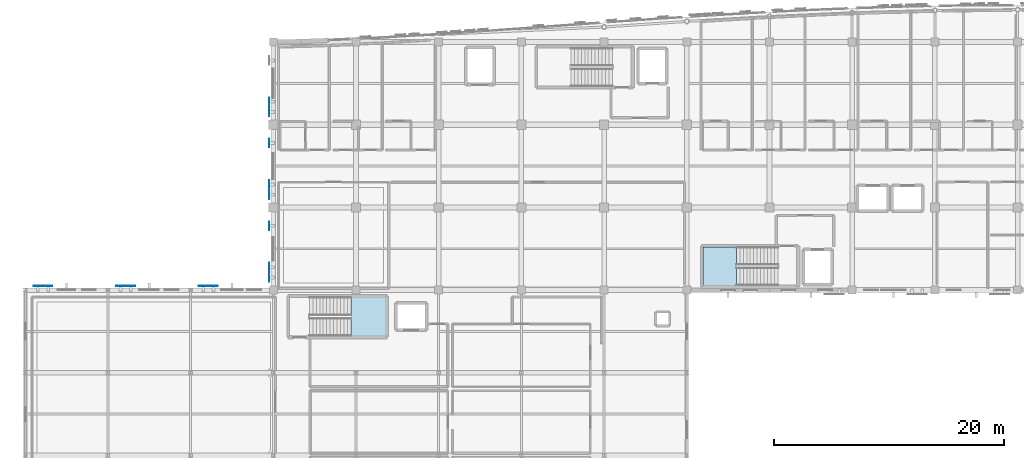
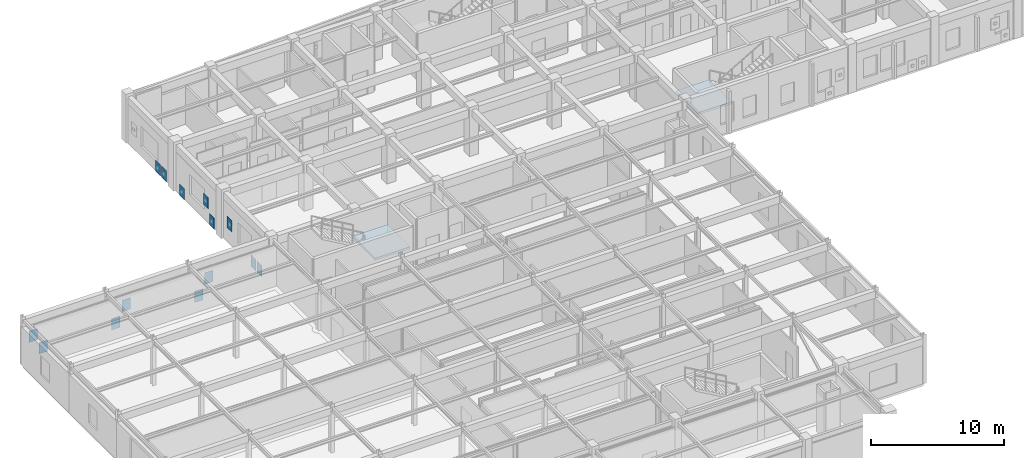
# One storey, part 62 of 106: 14 plates, 2 slabs, 2 elements without a shape of their own.
"""IFC4 building model written with IfcOpenShell, lengths in metres."""

from ifc_helpers import new_model, si_unit, direction, frame, origin, origin_2d, place, context, subcontext, project, spatial, polyline, rectangle, outline, extrude, material, layer, layer_set, type_object, element, aggregate, save


model = new_model("IFC4")

# Units and contexts
model_context = context("Model", 3, precision=1e-05, world=origin(), true_north=direction((0.0, 1.0)))
body_context = subcontext(model_context, "Body", "Model", "MODEL_VIEW")
ifc_project = project(units=[si_unit("LENGTHUNIT", "METRE"), si_unit("AREAUNIT", "SQUARE_METRE"), si_unit("VOLUMEUNIT", "CUBIC_METRE"), si_unit("PLANEANGLEUNIT", "RADIAN"), si_unit("MASSUNIT", "GRAM", prefix="KILO")], contexts=[model_context])

# Site, building, storey
site_placement = place(None, origin())
site = spatial("IfcSite", under=ifc_project, at=site_placement, CompositionType="ELEMENT")
building_placement = place(site_placement, origin())
building = spatial("IfcBuilding", under=site, at=building_placement, Name="Carrowvane Square Congress Hotel", CompositionType="ELEMENT")
storey_placement = place(building_placement, frame((0.0, 0.0, 10.5)))
storey = spatial("IfcBuildingStorey", under=building, at=storey_placement, Name="L02", CompositionType="ELEMENT", Elevation=10.5)

# Plates
ifc_material_1 = material(Name="Champagne-gold anodised aluminium", Category="aluminium")
ifc_layer_1 = layer(ifc_material_1, 0.011962890625)
ifc_layer_set_1 = layer_set([ifc_layer_1], Name="Champagne-gold anodised aluminium")
plate_type_1 = type_object("IfcPlateType", Name="PLT-PIX-GOLD12", PredefinedType="SHEET", material=ifc_layer_set_1)
for number, where, z_axis, x_axis, name in (
    (1, (19.89990234375, 92.166015625, 0.15478515625), (0.0, 0.0, 1.0), (1.0, 0.0, 0.0), "Champagne-gold pixel screen plate S-81"),
    (2, (20.800048828125, 92.166015625, 1.52490234375), (0.0, 0.0, 1.0), (1.0, 0.0, 0.0), "Champagne-gold pixel screen plate S-82"),
    (3, (32.833984375, 92.89990234375, 0.15478515625), (0.0, 0.0, 1.0), (0.0, 1.0, 0.0), "Champagne-gold pixel screen plate S-85"),
    (4, (32.833984375, 93.800048828125, 0.15478515625), (0.0, 0.0, 1.0), (0.0, 1.0, 0.0), "Champagne-gold pixel screen plate S-86"),
    (5, (32.833984375, 97.39990234375, 1.52490234375), (0.0, 0.0, 1.0), (0.0, 1.0, 0.0), "Champagne-gold pixel screen plate S-87"),
    (6, (32.833984375, 107.300048828125, 0.15478515625), (0.0, 0.0, 1.0), (0.0, 1.0, 0.0), "Champagne-gold pixel screen plate S-91"),
    (7, (32.833984375, 108.199951171875, 0.15478515625), (0.0, 0.0, 1.0), (0.0, 1.0, 0.0), "Champagne-gold pixel screen plate S-92"),
):
    element("IfcPlate", number, at=place(storey_placement, frame(where, z_axis=z_axis, x_axis=x_axis)), inside=storey, type_object=plate_type_1, Name=name, PredefinedType="SHEET", context=body_context, shape_type="SweptSolid", body=[
        extrude(rectangle(XDim=0.738037109375, YDim=0.011962890625, at=origin_2d()), origin(), (0.0, 0.0, 1.0), 1.050048828125),
    ])
ifc_material_2 = material(Name="Champagne-gold anodised aluminium", Category="aluminium")
ifc_layer_2 = layer(ifc_material_2, 0.008056640625)
ifc_layer_set_2 = layer_set([ifc_layer_2], Name="Champagne-gold anodised aluminium")
plate_type_2 = type_object("IfcPlateType", Name="PLT-PIX-GOLD8", PredefinedType="SHEET", material=ifc_layer_set_2)
for number, where, z_axis, x_axis, name in (
    (8, (12.699951171875, 92.1640625, 1.52490234375), (0.0, 0.0, 1.0), (1.0, 0.0, 0.0), "Champagne-gold pixel screen plate S-79"),
    (9, (13.60009765625, 92.1640625, 0.15478515625), (0.0, 0.0, 1.0), (1.0, 0.0, 0.0), "Champagne-gold pixel screen plate S-80"),
    (10, (27.10009765625, 92.1640625, 0.15478515625), (0.0, 0.0, 1.0), (1.0, 0.0, 0.0), "Champagne-gold pixel screen plate S-83"),
    (11, (28.0, 92.1640625, 1.52490234375), (0.0, 0.0, 1.0), (1.0, 0.0, 0.0), "Champagne-gold pixel screen plate S-84"),
    (12, (32.8359375, 100.10009765625, 0.15478515625), (0.0, 0.0, 1.0), (0.0, 1.0, 0.0), "Champagne-gold pixel screen plate S-88"),
    (13, (32.8359375, 101.0, 1.52490234375), (0.0, 0.0, 1.0), (0.0, 1.0, 0.0), "Champagne-gold pixel screen plate S-89"),
    (14, (32.8359375, 104.60009765625, 0.15478515625), (0.0, 0.0, 1.0), (0.0, 1.0, 0.0), "Champagne-gold pixel screen plate S-90"),
):
    element("IfcPlate", number, at=place(storey_placement, frame(where, z_axis=z_axis, x_axis=x_axis)), inside=storey, type_object=plate_type_2, Name=name, PredefinedType="SHEET", context=body_context, shape_type="SweptSolid", body=[
        extrude(rectangle(XDim=0.738037109375, YDim=0.008056640625, at=origin_2d()), origin(), (0.0, 0.0, 1.0), 1.050048828125),
    ])

# Stair, slab
ifc_material_3 = material(Name="Concrete C35/45", Category="concrete")
stair_type_1 = type_object("IfcStairType", Name="STR-DOG-01", PredefinedType="HALF_TURN_STAIR", material=ifc_material_3)
stair_1_placement = place(storey_placement, origin())
stair_1 = element("IfcStair", 15, at=stair_1_placement, inside=storey, type_object=stair_type_1, Name="L02 Core C2 Central Hotel Firefighting Stair", PredefinedType="HALF_TURN_STAIR")
ifc_material_4 = material(Name="Concrete C35/45", Category="concrete")
ifc_layer_3 = layer(ifc_material_4, 0.199951171875)
ifc_layer_set_3 = layer_set([ifc_layer_3], Name="Concrete C35/45")
slab_type = type_object("IfcSlabType", Name="SLB-LND-200", PredefinedType="LANDING", material=ifc_layer_set_3)
slab_1_placement = place(storey_placement, frame((0.0, 0.0, 2.050048828125)))
slab_1 = element("IfcSlab", 16, at=slab_1_placement, type_object=slab_type, Name="ST2 landing 1", PredefinedType="LANDING", context=body_context, shape_type="SweptSolid", body=[
    extrude(outline(polyline([(73.52001953125, 95.56005859375), (70.60009765625, 95.56005859375), (70.60009765625, 92.199951171875), (73.52001953125, 92.199951171875), (73.52001953125, 95.56005859375)])), origin(), (0.0, 0.0, 1.0), 0.199951171875),
])
aggregate(stair_1, [slab_1])

ifc_material_5 = material(Name="Concrete C35/45", Category="concrete")
stair_type_2 = type_object("IfcStairType", Name="STR-DOG-05", PredefinedType="HALF_TURN_STAIR", material=ifc_material_5)
stair_2_placement = place(storey_placement, origin())
stair_2 = element("IfcStair", 17, at=stair_2_placement, inside=storey, type_object=stair_type_2, Name="L02 Core C5 West Spa Escape Stair", PredefinedType="HALF_TURN_STAIR")
slab_2_placement = place(storey_placement, frame((0.0, 0.0, 2.050048828125)))
slab_2 = element("IfcSlab", 18, at=slab_2_placement, type_object=slab_type, Name="ST5 landing 1", PredefinedType="LANDING", context=body_context, shape_type="SweptSolid", body=[
    extrude(outline(polyline([(39.949951171875, 87.800048828125), (43.0, 87.800048828125), (43.0, 91.199951171875), (39.949951171875, 91.199951171875), (39.949951171875, 87.800048828125)])), origin(), (0.0, 0.0, 1.0), 0.199951171875),
])
aggregate(stair_2, [slab_2])

save(model, "model.ifc")
